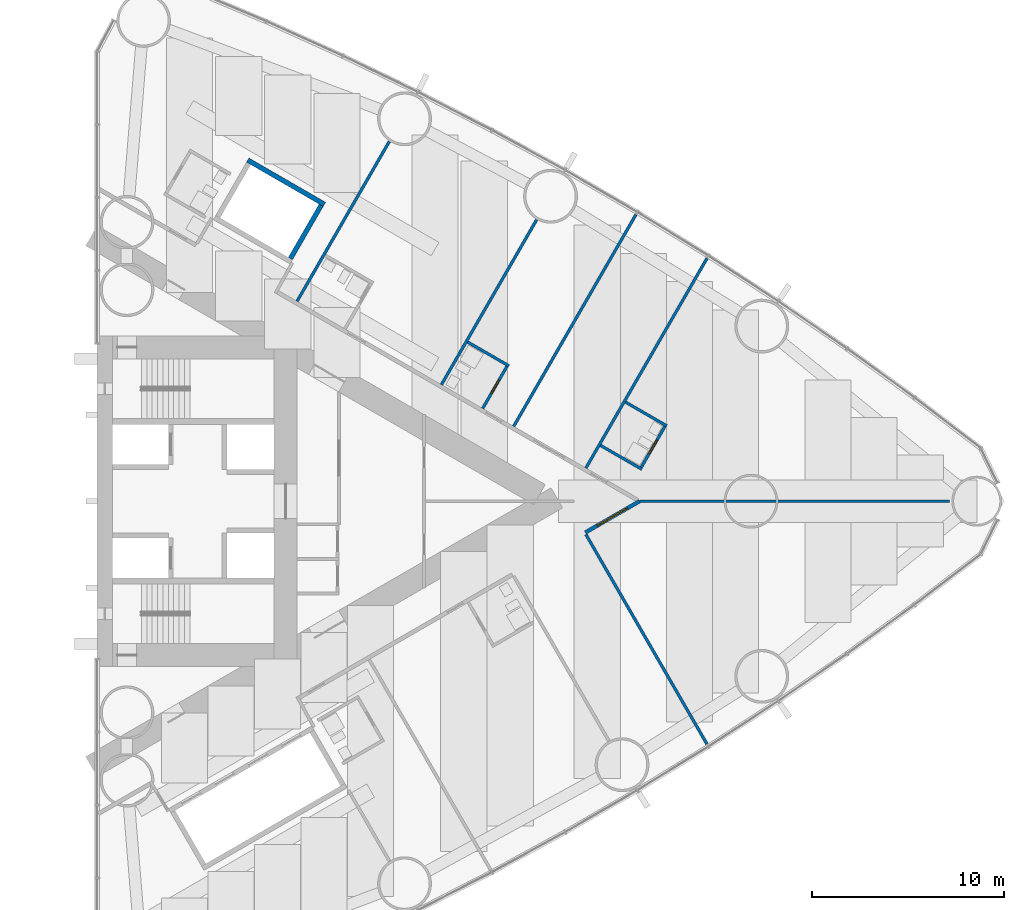
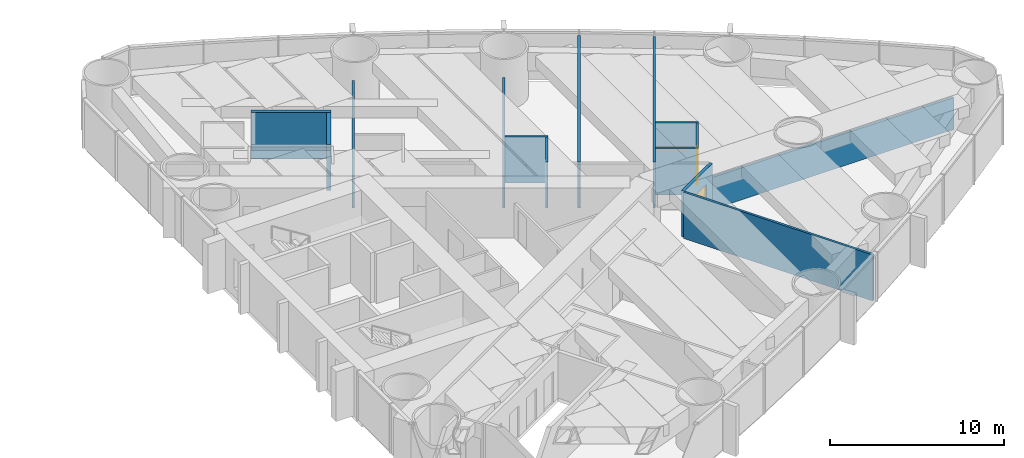
# One storey, part 16 of 19: 14 walls, 3 doors, 3 openings.
"""IFC4 building model written with IfcOpenShell, lengths in metres."""

from ifc_helpers import new_model, si_unit, direction, frame, frame_2d, origin, place, context, subcontext, project, spatial, rectangle, extrude, material, layer, layer_set, type_object, element, fill, save


model = new_model("IFC4")

# Units and contexts
model_context = context("Model", 3, precision=1e-05, world=origin(), true_north=direction((0.0, 1.0)))
body_context = subcontext(model_context, "Body", "Model", "MODEL_VIEW")
ifc_project = project(units=[si_unit("LENGTHUNIT", "METRE"), si_unit("AREAUNIT", "SQUARE_METRE"), si_unit("VOLUMEUNIT", "CUBIC_METRE"), si_unit("PLANEANGLEUNIT", "RADIAN"), si_unit("MASSUNIT", "GRAM", prefix="KILO")], contexts=[model_context])

# Site, building, storey
site_placement = place(None, origin())
site = spatial("IfcSite", under=ifc_project, at=site_placement, CompositionType="ELEMENT")
building_placement = place(site_placement, origin())
building = spatial("IfcBuilding", under=site, at=building_placement, Name="Lancet Gate Hotel", CompositionType="ELEMENT")
storey_placement = place(building_placement, frame((0.0, 0.0, 74.0)))
storey = spatial("IfcBuildingStorey", under=building, at=storey_placement, Name="L19", CompositionType="ELEMENT", Elevation=74.0)

# Wall
ifc_material_1 = material(Name="Moisture resistant board partition")
ifc_layer_1 = layer(ifc_material_1, 0.14990234375)
ifc_layer_set_1 = layer_set([ifc_layer_1], Name="Bathroom wall 150")
wall_type_1 = type_object("IfcWallType", Name="Bathroom wall 150", PredefinedType="PARTITIONING", material=ifc_layer_set_1)
wall_1_placement = place(storey_placement, frame((54.979736328125, 5.1513671875, 0.0), z_axis=(0.0, 0.0, 1.0), x_axis=(0.86604923931, -0.499958713387, 0.0)))
element("IfcWall", 1, at=wall_1_placement, inside=storey, type_object=wall_type_1, Name="T2 bathroom wall 150 L19", PredefinedType="PARTITIONING", context=body_context, shape_type="SweptSolid", body=[
    extrude(rectangle(XDim=2.474853515625, YDim=0.14990234375, at=frame_2d((1.2373046875, 0.0))), origin(), (0.0, 0.0, 1.0), 3.25),
])

# Wall, opening, door
wall_2_placement = place(storey_placement, frame((55.758056640625, 1.69970703125, 0.0), z_axis=(0.0, 0.0, 1.0), x_axis=(0.500006934395, 0.866021400173, 0.0)))
wall_2 = element("IfcWall", 2, at=wall_2_placement, inside=storey, type_object=wall_type_1, Name="T2 bathroom wall 150 L19", PredefinedType="PARTITIONING", context=body_context, shape_type="SweptSolid", body=[
    extrude(rectangle(XDim=2.60009765625, YDim=0.14990234375, at=frame_2d((1.300048828125, 0.0))), origin(), (0.0, 0.0, 1.0), 3.25),
])
opening_1_placement = place(wall_2_placement, frame((0.89990234375, 0.0, 0.0)))
opening_1 = element("IfcOpeningElement", 3, at=opening_1_placement, cuts=wall_2, Name="Opening 1958-B", PredefinedType="OPENING", context=body_context, shape_type="SweptSolid", body=[
    extrude(rectangle(XDim=0.800048828125, YDim=2.199951171875, at=frame_2d((0.39990234375, 1.10009765625))), frame((0.0, 0.0849609375, 0.0), z_axis=(0.0, -1.0, 0.0), x_axis=(1.0, 0.0, 0.0)), (0.0, 0.0, 1.0), 0.169921875),
])
ifc_material_2 = material(Name="Timber door set", Category="wood")
door_type_1 = type_object("IfcDoorType", Name="Bathroom door 800", OperationType="SINGLE_SWING_RIGHT", PredefinedType="DOOR", material=ifc_material_2)
door_1_placement = place(opening_1_placement, origin())
door_1 = element("IfcDoor", 4, at=door_1_placement, inside=storey, type_object=door_type_1, Name="1958-B", OperationType="SINGLE_SWING_RIGHT", OverallHeight=2.199951171875, OverallWidth=0.800048828125, PredefinedType="DOOR", context=body_context, shape_type="SweptSolid", body=[
    extrude(rectangle(XDim=0.800048828125, YDim=2.199951171875, at=frame_2d((0.39990234375, 1.10009765625))), frame((0.0, 0.02490234375, 0.0), z_axis=(0.0, -1.0, 0.0), x_axis=(1.0, 0.0, 0.0)), (0.0, 0.0, 1.0), 0.050048828125),
])
fill(opening_1, door_1)

# Walls
wall_3_placement = place(storey_placement, frame((53.6796875, 2.89990234375, 0.0), z_axis=(0.0, 0.0, 1.0), x_axis=(0.866006523861, -0.500032699561, 0.0)))
element("IfcWall", 5, at=wall_3_placement, inside=storey, type_object=wall_type_1, Name="T2 bathroom wall 150 L19", PredefinedType="PARTITIONING", context=body_context, shape_type="SweptSolid", body=[
    extrude(rectangle(XDim=2.474853515625, YDim=0.14990234375, at=frame_2d((1.2373046875, 0.0))), origin(), (0.0, 0.0, 1.0), 3.25),
])
wall_4_placement = place(storey_placement, frame((46.767822265625, 8.27587890625, 0.0), z_axis=(0.0, 0.0, 1.0), x_axis=(0.866031185235, -0.4999899861, 0.0)))
element("IfcWall", 6, at=wall_4_placement, inside=storey, type_object=wall_type_1, Name="T2 bathroom wall 150 L19", PredefinedType="PARTITIONING", context=body_context, shape_type="SweptSolid", body=[
    extrude(rectangle(XDim=2.47509765625, YDim=0.14990234375, at=frame_2d((1.237548828125, 0.0))), origin(), (0.0, 0.0, 1.0), 3.25),
])

# Wall, opening, door
wall_5_placement = place(storey_placement, frame((47.54638671875, 4.82421875, 0.0), z_axis=(0.0, 0.0, 1.0), x_axis=(0.500006934395, 0.866021400173, 0.0)))
wall_5 = element("IfcWall", 7, at=wall_5_placement, inside=storey, type_object=wall_type_1, Name="T2 bathroom wall 150 L19", PredefinedType="PARTITIONING", context=body_context, shape_type="SweptSolid", body=[
    extrude(rectangle(XDim=2.60009765625, YDim=0.14990234375, at=frame_2d((1.300048828125, 0.0))), origin(), (0.0, 0.0, 1.0), 3.25),
])
opening_2_placement = place(wall_5_placement, frame((0.89990234375, 0.0, 0.0)))
opening_2 = element("IfcOpeningElement", 8, at=opening_2_placement, cuts=wall_5, Name="Opening 1960-B", PredefinedType="OPENING", context=body_context, shape_type="SweptSolid", body=[
    extrude(rectangle(XDim=0.800048828125, YDim=2.199951171875, at=frame_2d((0.39990234375, 1.10009765625))), frame((0.0, 0.0849609375, 0.0), z_axis=(0.0, -1.0, 0.0), x_axis=(1.0, 0.0, 0.0)), (0.0, 0.0, 1.0), 0.169921875),
])
door_2_placement = place(opening_2_placement, origin())
door_2 = element("IfcDoor", 9, at=door_2_placement, inside=storey, type_object=door_type_1, Name="1960-B", OperationType="SINGLE_SWING_RIGHT", OverallHeight=2.199951171875, OverallWidth=0.800048828125, PredefinedType="DOOR", context=body_context, shape_type="SweptSolid", body=[
    extrude(rectangle(XDim=0.800048828125, YDim=2.199951171875, at=frame_2d((0.39990234375, 1.10009765625))), frame((0.0, 0.02490234375, 0.0), z_axis=(0.0, -1.0, 0.0), x_axis=(1.0, 0.0, 0.0)), (0.0, 0.0, 1.0), 0.050048828125),
])
fill(opening_2, door_2)

ifc_material_3 = material(Name="Gypsum board partition")
ifc_layer_2 = layer(ifc_material_3, 0.199951171875)
ifc_layer_set_2 = layer_set([ifc_layer_2], Name="Corridor wall 200")
wall_type_2 = type_object("IfcWallType", Name="Corridor wall 200", PredefinedType="PARTITIONING", material=ifc_layer_set_2)
wall_6_placement = place(storey_placement, frame((52.88623046875, -1.625732421875, 0.0), z_axis=(0.0, 0.0, 1.0), x_axis=(0.866030540913, 0.499991102127, 0.0)))
wall_6 = element("IfcWall", 10, at=wall_6_placement, inside=storey, type_object=wall_type_2, Name="T2 corridor wall 200 L19", PredefinedType="PARTITIONING", context=body_context, shape_type="SweptSolid", body=[
    extrude(rectangle(XDim=3.25146484375, YDim=0.199951171875, at=frame_2d((1.625732421875, 0.0))), origin(), (0.0, 0.0, 1.0), 3.25),
])
opening_3_placement = place(wall_6_placement, frame((0.725830078125, 0.0, 0.0)))
opening_3 = element("IfcOpeningElement", 11, at=opening_3_placement, cuts=wall_6, Name="Opening 1957-E", PredefinedType="OPENING", context=body_context, shape_type="SweptSolid", body=[
    extrude(rectangle(XDim=1.800048828125, YDim=2.199951171875, at=frame_2d((0.89990234375, 1.10009765625))), frame((0.0, 0.10986328125, 0.0), z_axis=(0.0, -1.0, 0.0), x_axis=(1.0, 0.0, 0.0)), (0.0, 0.0, 1.0), 0.219970703125),
])
ifc_material_4 = material(Name="Timber door set", Category="wood")
door_type_2 = type_object("IfcDoorType", Name="Double door 1800", OperationType="DOUBLE_DOOR_SINGLE_SWING", PredefinedType="DOOR", material=ifc_material_4)
door_3_placement = place(opening_3_placement, origin())
door_3 = element("IfcDoor", 12, at=door_3_placement, inside=storey, type_object=door_type_2, Name="1957-E", OperationType="DOUBLE_DOOR_SINGLE_SWING", OverallHeight=2.199951171875, OverallWidth=1.800048828125, PredefinedType="DOOR", context=body_context, shape_type="SweptSolid", body=[
    extrude(rectangle(XDim=1.800048828125, YDim=2.199951171875, at=frame_2d((0.89990234375, 1.10009765625))), frame((0.0, 0.02490234375, 0.0), z_axis=(0.0, -1.0, 0.0), x_axis=(1.0, 0.0, 0.0)), (0.0, 0.0, 1.0), 0.050048828125),
])
fill(opening_3, door_3)

# Walls
ifc_material_5 = material(Name="Gypsum board partition")
ifc_layer_3 = layer(ifc_material_5, 0.25)
ifc_layer_set_3 = layer_set([ifc_layer_3], Name="Lift shaft partition 250")
wall_type_3 = type_object("IfcWallType", Name="Lift shaft partition 250", PredefinedType="PARTITIONING", material=ifc_layer_set_3)
wall_7_placement = place(storey_placement, frame((35.33349609375, 17.73583984375, 0.0), z_axis=(0.0, 0.0, 1.0), x_axis=(0.866043305498, -0.49996899204, 0.0)))
element("IfcWall", 13, at=wall_7_placement, inside=storey, type_object=wall_type_3, Name="T2 lift shaft wall EX L19", PredefinedType="PARTITIONING", context=body_context, shape_type="SweptSolid", body=[
    extrude(rectangle(XDim=4.600341796875, YDim=0.25, at=frame_2d((2.30029296875, 0.0))), origin(), (0.0, 0.0, 1.0), 3.25),
])
wall_8_placement = place(storey_placement, frame((37.546630859375, 12.617919921875, 0.0), z_axis=(0.0, 0.0, 1.0), x_axis=(0.499929347863, 0.866066190972, 0.0)))
element("IfcWall", 14, at=wall_8_placement, inside=storey, type_object=wall_type_3, Name="T2 lift shaft wall EX L19", PredefinedType="PARTITIONING", context=body_context, shape_type="SweptSolid", body=[
    extrude(rectangle(XDim=3.20068359375, YDim=0.25, at=frame_2d((1.600341796875, 0.0))), origin(), (0.0, 0.0, 1.0), 3.25),
])
ifc_material_6 = material(Name="Gypsum board partition")
ifc_layer_4 = layer(ifc_material_6, 0.14990234375)
ifc_layer_set_4 = layer_set([ifc_layer_4], Name="Party wall 150")
wall_type_4 = type_object("IfcWallType", Name="Party wall 150", PredefinedType="PARTITIONING", material=ifc_layer_set_4)
wall_9_placement = place(storey_placement, frame((52.914794921875, -1.724853515625, 0.0), z_axis=(0.0, 0.0, 1.0), x_axis=(0.499997163113, -0.866027041656, 0.0)))
element("IfcWall", 15, at=wall_9_placement, inside=storey, type_object=wall_type_4, Name="T2 party wall 150 L19", PredefinedType="PARTITIONING", context=body_context, shape_type="SweptSolid", body=[
    extrude(rectangle(XDim=12.5908203125, YDim=0.14990234375, at=frame_2d((6.29541015625, 0.0))), origin(), (0.0, 0.0, 1.0), 3.25),
])
wall_10_placement = place(storey_placement, frame((37.895263671875, 10.396484375, 0.0), z_axis=(0.0, 0.0, 1.0), x_axis=(0.499995616528, 0.866027934568, 0.0)))
element("IfcWall", 16, at=wall_10_placement, inside=storey, type_object=wall_type_4, Name="T2 party wall 150 L19", PredefinedType="PARTITIONING", context=body_context, shape_type="SweptSolid", body=[
    extrude(rectangle(XDim=9.59326171875, YDim=0.14990234375, at=frame_2d((4.796630859375, 0.0))), origin(), (0.0, 0.0, 1.0), 2.25),
])
wall_11_placement = place(storey_placement, frame((45.40283203125, 6.061767578125, 0.0), z_axis=(0.0, 0.0, 1.0), x_axis=(0.500013434677, 0.866017647131, 0.0)))
element("IfcWall", 17, at=wall_11_placement, inside=storey, type_object=wall_type_4, Name="T2 party wall 150 L19", PredefinedType="PARTITIONING", context=body_context, shape_type="SweptSolid", body=[
    extrude(rectangle(XDim=9.901611328125, YDim=0.14990234375, at=frame_2d((4.95068359375, 0.0))), origin(), (0.0, 0.0, 1.0), 2.25),
])
wall_12_placement = place(storey_placement, frame((49.159423828125, 3.892822265625, 0.0), z_axis=(0.0, 0.0, 1.0), x_axis=(0.499995664361, 0.866027906952, 0.0)))
element("IfcWall", 18, at=wall_12_placement, inside=storey, type_object=wall_type_4, Name="T2 party wall 150 L19", PredefinedType="PARTITIONING", context=body_context, shape_type="SweptSolid", body=[
    extrude(rectangle(XDim=12.71142578125, YDim=0.14990234375, at=frame_2d((6.355712890625, 0.0))), origin(), (0.0, 0.0, 1.0), 3.25),
])
wall_13_placement = place(storey_placement, frame((52.914794921875, 1.724853515625, 0.0), z_axis=(0.0, 0.0, 1.0), x_axis=(0.499997163113, 0.866027041656, 0.0)))
element("IfcWall", 19, at=wall_13_placement, inside=storey, type_object=wall_type_4, Name="T2 party wall 150 L19", PredefinedType="PARTITIONING", context=body_context, shape_type="SweptSolid", body=[
    extrude(rectangle(XDim=12.5908203125, YDim=0.14990234375, at=frame_2d((6.29541015625, 0.0))), origin(), (0.0, 0.0, 1.0), 3.25),
])
wall_14_placement = place(storey_placement, frame((55.7021484375, 0.0, 0.0), z_axis=(0.0, 0.0, 1.0), x_axis=(1.0, 0.0, 0.0)))
element("IfcWall", 20, at=wall_14_placement, inside=storey, type_object=wall_type_4, Name="T2 party wall 150 L19", PredefinedType="PARTITIONING", context=body_context, shape_type="SweptSolid", body=[
    extrude(rectangle(XDim=16.116943359375, YDim=0.14990234375, at=frame_2d((8.05859375, 0.0))), origin(), (0.0, 0.0, 1.0), 2.25),
])

save(model, "model.ifc")
